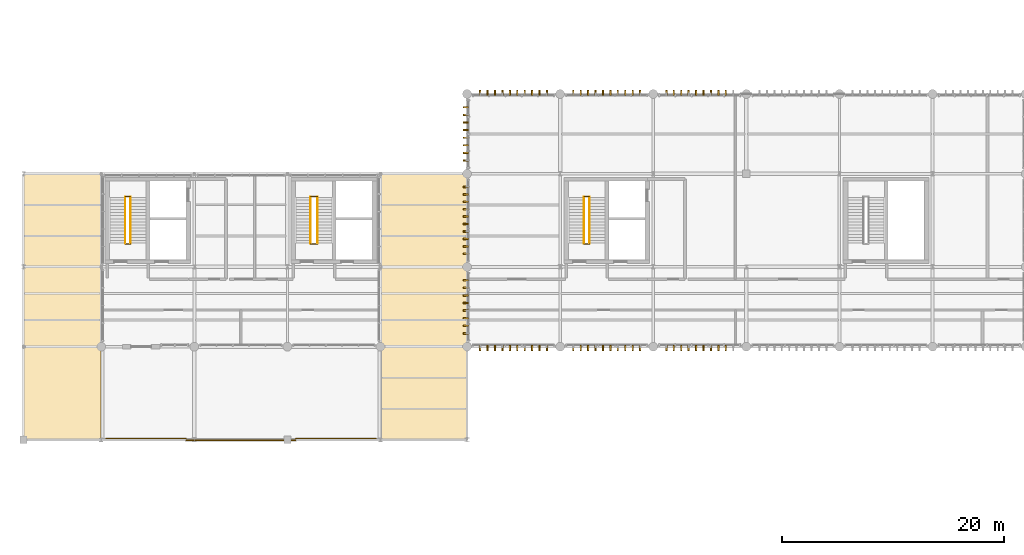
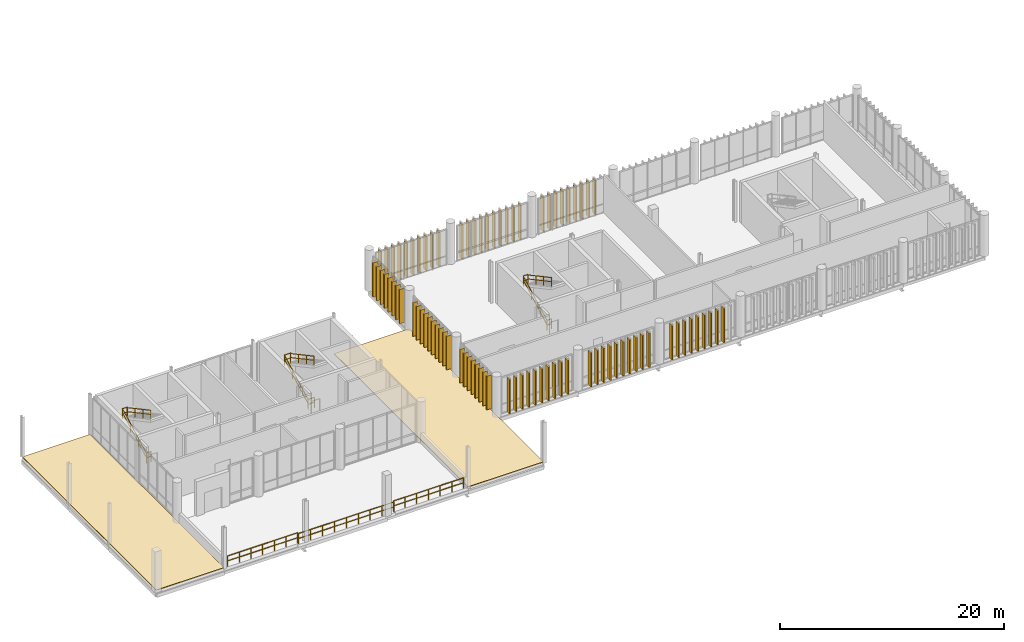
# One storey, part 63 of 68: 86 coverings, 15 railings, 2 elements without a shape of their own.
"""IFC4 building model written with IfcOpenShell, lengths in metres."""

from ifc_helpers import new_model, si_unit, direction, frame, frame_2d, origin_with_axes, origin_2d_with_axis, place, context, subcontext, project, spatial, polyline, rectangle, circle, outline, extrude, material, type_object, element, aggregate, save


model = new_model("IFC4")

# Units and contexts
model_context = context("Model", 3, precision=1e-05, world=origin_with_axes(), true_north=direction((0.0, 1.0)))
body_context = subcontext(model_context, "Body", "Model", "MODEL_VIEW")
ifc_project = project(units=[si_unit("LENGTHUNIT", "METRE"), si_unit("AREAUNIT", "SQUARE_METRE"), si_unit("VOLUMEUNIT", "CUBIC_METRE"), si_unit("PLANEANGLEUNIT", "RADIAN"), si_unit("MASSUNIT", "GRAM", prefix="KILO"), si_unit("THERMODYNAMICTEMPERATUREUNIT", "KELVIN")], contexts=[model_context])

# Site, building, storey
site_placement = place(None, origin_with_axes())
site = spatial("IfcSite", under=ifc_project, at=site_placement, CompositionType="ELEMENT")
building_placement = place(site_placement, origin_with_axes())
building = spatial("IfcBuilding", under=site, at=building_placement, Name="Montbau Bow Law Courts", CompositionType="ELEMENT")
storey_placement = place(building_placement, frame((0.0, 0.0, 20.4), z_axis=(0.0, 0.0, 1.0), x_axis=(1.0, 0.0, 0.0)))
storey = spatial("IfcBuildingStorey", under=building, at=storey_placement, Name="L04", CompositionType="ELEMENT", Elevation=20.4)

# Coverings
ifc_material_1 = material(Name="Freeze-Thaw Glazed Warm Cream Ceramic Vertical Louvre", Category="masonry")
covering_type_1 = type_object("IfcCoveringType", Name="CV-LVR-CRM", PredefinedType="CLADDING", material=ifc_material_1)
for number, where, z_axis, x_axis, name in (
    (1, (47.985, 39.13, 20.4), (-1.0, 0.0, 0.0), (0.0, -1.0, 0.0), "CLV-L04-1731:cov_1776"),
    (2, (48.655, 39.13, 20.4), (-1.0, 0.0, 0.0), (0.0, -1.0, 0.0), "CLV-L04-1732:cov_1777"),
    (3, (49.325, 39.13, 20.4), (-1.0, 0.0, 0.0), (0.0, -1.0, 0.0), "CLV-L04-1733:cov_1778"),
    (4, (49.995, 39.13, 20.4), (-1.0, 0.0, 0.0), (0.0, -1.0, 0.0), "CLV-L04-1734:cov_1779"),
    (5, (50.665, 39.13, 20.4), (-1.0, 0.0, 0.0), (0.0, -1.0, 0.0), "CLV-L04-1735:cov_1780"),
    (6, (51.335, 39.13, 20.4), (-1.0, 0.0, 0.0), (0.0, -1.0, 0.0), "CLV-L04-1736:cov_1781"),
    (7, (52.005, 39.13, 20.4), (-1.0, 0.0, 0.0), (0.0, -1.0, 0.0), "CLV-L04-1737:cov_1782"),
    (8, (52.675, 39.13, 20.4), (-1.0, 0.0, 0.0), (0.0, -1.0, 0.0), "CLV-L04-1738:cov_1783"),
    (9, (53.345, 39.13, 20.4), (-1.0, 0.0, 0.0), (0.0, -1.0, 0.0), "CLV-L04-1739:cov_1784"),
    (10, (54.015, 39.13, 20.4), (-1.0, 0.0, 0.0), (0.0, -1.0, 0.0), "CLV-L04-1740:cov_1785"),
    (11, (56.385, 39.13, 20.4), (-1.0, 0.0, 0.0), (0.0, -1.0, 0.0), "CLV-L04-1741:cov_1786"),
    (12, (57.055, 39.13, 20.4), (-1.0, 0.0, 0.0), (0.0, -1.0, 0.0), "CLV-L04-1742:cov_1787"),
    (13, (57.725, 39.13, 20.4), (-1.0, 0.0, 0.0), (0.0, -1.0, 0.0), "CLV-L04-1743:cov_1788"),
    (14, (58.395, 39.13, 20.4), (-1.0, 0.0, 0.0), (0.0, -1.0, 0.0), "CLV-L04-1744:cov_1789"),
    (15, (59.065, 39.13, 20.4), (-1.0, 0.0, 0.0), (0.0, -1.0, 0.0), "CLV-L04-1745:cov_1790"),
    (16, (59.735, 39.13, 20.4), (-1.0, 0.0, 0.0), (0.0, -1.0, 0.0), "CLV-L04-1746:cov_1791"),
    (17, (60.405, 39.13, 20.4), (-1.0, 0.0, 0.0), (0.0, -1.0, 0.0), "CLV-L04-1747:cov_1792"),
    (18, (61.075, 39.13, 20.4), (-1.0, 0.0, 0.0), (0.0, -1.0, 0.0), "CLV-L04-1748:cov_1793"),
    (19, (61.745, 39.13, 20.4), (-1.0, 0.0, 0.0), (0.0, -1.0, 0.0), "CLV-L04-1749:cov_1794"),
    (20, (62.415, 39.13, 20.4), (-1.0, 0.0, 0.0), (0.0, -1.0, 0.0), "CLV-L04-1750:cov_1795"),
    (21, (64.785, 39.13, 20.4), (-1.0, 0.0, 0.0), (0.0, -1.0, 0.0), "CLV-L04-1751:cov_1796"),
    (22, (65.455, 39.13, 20.4), (-1.0, 0.0, 0.0), (0.0, -1.0, 0.0), "CLV-L04-1752:cov_1797"),
    (23, (66.125, 39.13, 20.4), (-1.0, 0.0, 0.0), (0.0, -1.0, 0.0), "CLV-L04-1753:cov_1798"),
    (24, (66.795, 39.13, 20.4), (-1.0, 0.0, 0.0), (0.0, -1.0, 0.0), "CLV-L04-1754:cov_1799"),
    (25, (67.465, 39.13, 20.4), (-1.0, 0.0, 0.0), (0.0, -1.0, 0.0), "CLV-L04-1755:cov_1800"),
    (26, (68.135, 39.13, 20.4), (-1.0, 0.0, 0.0), (0.0, -1.0, 0.0), "CLV-L04-1756:cov_1801"),
    (27, (68.805, 39.13, 20.4), (-1.0, 0.0, 0.0), (0.0, -1.0, 0.0), "CLV-L04-1757:cov_1802"),
    (28, (69.475, 39.13, 20.4), (-1.0, 0.0, 0.0), (0.0, -1.0, 0.0), "CLV-L04-1758:cov_1803"),
    (29, (70.145, 39.13, 20.4), (-1.0, 0.0, 0.0), (0.0, -1.0, 0.0), "CLV-L04-1759:cov_1804"),
    (30, (47.985, 61.67, 20.4), (1.0, 0.0, 0.0), (0.0, 1.0, 0.0), "CLV-L04-1791:cov_1836"),
    (31, (48.655, 61.67, 20.4), (1.0, 0.0, 0.0), (0.0, 1.0, 0.0), "CLV-L04-1792:cov_1837"),
    (32, (49.325, 61.67, 20.4), (1.0, 0.0, 0.0), (0.0, 1.0, 0.0), "CLV-L04-1793:cov_1838"),
    (33, (49.995, 61.67, 20.4), (1.0, 0.0, 0.0), (0.0, 1.0, 0.0), "CLV-L04-1794:cov_1839"),
    (34, (50.665, 61.67, 20.4), (1.0, 0.0, 0.0), (0.0, 1.0, 0.0), "CLV-L04-1795:cov_1840"),
    (35, (51.335, 61.67, 20.4), (1.0, 0.0, 0.0), (0.0, 1.0, 0.0), "CLV-L04-1796:cov_1841"),
    (36, (52.005, 61.67, 20.4), (1.0, 0.0, 0.0), (0.0, 1.0, 0.0), "CLV-L04-1797:cov_1842"),
    (37, (52.675, 61.67, 20.4), (1.0, 0.0, 0.0), (0.0, 1.0, 0.0), "CLV-L04-1798:cov_1843"),
    (38, (53.345, 61.67, 20.4), (1.0, 0.0, 0.0), (0.0, 1.0, 0.0), "CLV-L04-1799:cov_1844"),
    (39, (54.015, 61.67, 20.4), (1.0, 0.0, 0.0), (0.0, 1.0, 0.0), "CLV-L04-1800:cov_1845"),
    (40, (56.385, 61.67, 20.4), (1.0, 0.0, 0.0), (0.0, 1.0, 0.0), "CLV-L04-1801:cov_1846"),
    (41, (57.055, 61.67, 20.4), (1.0, 0.0, 0.0), (0.0, 1.0, 0.0), "CLV-L04-1802:cov_1847"),
    (42, (57.725, 61.67, 20.4), (1.0, 0.0, 0.0), (0.0, 1.0, 0.0), "CLV-L04-1803:cov_1848"),
    (43, (58.395, 61.67, 20.4), (1.0, 0.0, 0.0), (0.0, 1.0, 0.0), "CLV-L04-1804:cov_1849"),
    (44, (59.065, 61.67, 20.4), (1.0, 0.0, 0.0), (0.0, 1.0, 0.0), "CLV-L04-1805:cov_1850"),
    (45, (59.735, 61.67, 20.4), (1.0, 0.0, 0.0), (0.0, 1.0, 0.0), "CLV-L04-1806:cov_1851"),
    (46, (60.405, 61.67, 20.4), (1.0, 0.0, 0.0), (0.0, 1.0, 0.0), "CLV-L04-1807:cov_1852"),
    (47, (61.075, 61.67, 20.4), (1.0, 0.0, 0.0), (0.0, 1.0, 0.0), "CLV-L04-1808:cov_1853"),
    (48, (61.745, 61.67, 20.4), (1.0, 0.0, 0.0), (0.0, 1.0, 0.0), "CLV-L04-1809:cov_1854"),
    (49, (62.415, 61.67, 20.4), (1.0, 0.0, 0.0), (0.0, 1.0, 0.0), "CLV-L04-1810:cov_1855"),
    (50, (64.785, 61.67, 20.4), (1.0, 0.0, 0.0), (0.0, 1.0, 0.0), "CLV-L04-1811:cov_1856"),
    (51, (65.455, 61.67, 20.4), (1.0, 0.0, 0.0), (0.0, 1.0, 0.0), "CLV-L04-1812:cov_1857"),
    (52, (66.125, 61.67, 20.4), (1.0, 0.0, 0.0), (0.0, 1.0, 0.0), "CLV-L04-1813:cov_1858"),
    (53, (66.795, 61.67, 20.4), (1.0, 0.0, 0.0), (0.0, 1.0, 0.0), "CLV-L04-1814:cov_1859"),
    (54, (67.465, 61.67, 20.4), (1.0, 0.0, 0.0), (0.0, 1.0, 0.0), "CLV-L04-1815:cov_1860"),
    (55, (68.135, 61.67, 20.4), (1.0, 0.0, 0.0), (0.0, 1.0, 0.0), "CLV-L04-1816:cov_1861"),
    (56, (68.805, 61.67, 20.4), (1.0, 0.0, 0.0), (0.0, 1.0, 0.0), "CLV-L04-1817:cov_1862"),
    (57, (69.475, 61.67, 20.4), (1.0, 0.0, 0.0), (0.0, 1.0, 0.0), "CLV-L04-1818:cov_1863"),
    (58, (70.145, 61.67, 20.4), (1.0, 0.0, 0.0), (0.0, 1.0, 0.0), "CLV-L04-1819:cov_1864"),
    (59, (46.93, 40.201, 20.4), (0.0, 1.0, 0.0), (-1.0, 0.0, 0.0), "CLV-L04-1851:cov_1896"),
    (60, (46.93, 40.886, 20.4), (0.0, 1.0, 0.0), (-1.0, 0.0, 0.0), "CLV-L04-1852:cov_1897"),
    (61, (46.93, 41.572, 20.4), (0.0, 1.0, 0.0), (-1.0, 0.0, 0.0), "CLV-L04-1853:cov_1898"),
    (62, (46.93, 42.257, 20.4), (0.0, 1.0, 0.0), (-1.0, 0.0, 0.0), "CLV-L04-1854:cov_1899"),
    (63, (46.93, 42.943, 20.4), (0.0, 1.0, 0.0), (-1.0, 0.0, 0.0), "CLV-L04-1855:cov_1900"),
    (64, (46.93, 43.628, 20.4), (0.0, 1.0, 0.0), (-1.0, 0.0, 0.0), "CLV-L04-1856:cov_1901"),
    (65, (46.93, 44.314, 20.4), (0.0, 1.0, 0.0), (-1.0, 0.0, 0.0), "CLV-L04-1857:cov_1902"),
    (66, (46.93, 44.999, 20.4), (0.0, 1.0, 0.0), (-1.0, 0.0, 0.0), "CLV-L04-1858:cov_1903"),
    (67, (46.93, 47.385, 20.4), (0.0, 1.0, 0.0), (-1.0, 0.0, 0.0), "CLV-L04-1859:cov_1904"),
    (68, (46.93, 48.055, 20.4), (0.0, 1.0, 0.0), (-1.0, 0.0, 0.0), "CLV-L04-1860:cov_1905"),
    (69, (46.93, 48.725, 20.4), (0.0, 1.0, 0.0), (-1.0, 0.0, 0.0), "CLV-L04-1861:cov_1906"),
    (70, (46.93, 49.395, 20.4), (0.0, 1.0, 0.0), (-1.0, 0.0, 0.0), "CLV-L04-1862:cov_1907"),
    (71, (46.93, 50.065, 20.4), (0.0, 1.0, 0.0), (-1.0, 0.0, 0.0), "CLV-L04-1863:cov_1908"),
    (72, (46.93, 50.735, 20.4), (0.0, 1.0, 0.0), (-1.0, 0.0, 0.0), "CLV-L04-1864:cov_1909"),
    (73, (46.93, 51.405, 20.4), (0.0, 1.0, 0.0), (-1.0, 0.0, 0.0), "CLV-L04-1865:cov_1910"),
    (74, (46.93, 52.075, 20.4), (0.0, 1.0, 0.0), (-1.0, 0.0, 0.0), "CLV-L04-1866:cov_1911"),
    (75, (46.93, 52.745, 20.4), (0.0, 1.0, 0.0), (-1.0, 0.0, 0.0), "CLV-L04-1867:cov_1912"),
    (76, (46.93, 53.415, 20.4), (0.0, 1.0, 0.0), (-1.0, 0.0, 0.0), "CLV-L04-1868:cov_1913"),
    (77, (46.93, 55.801, 20.4), (0.0, 1.0, 0.0), (-1.0, 0.0, 0.0), "CLV-L04-1869:cov_1914"),
    (78, (46.93, 56.486, 20.4), (0.0, 1.0, 0.0), (-1.0, 0.0, 0.0), "CLV-L04-1870:cov_1915"),
    (79, (46.93, 57.172, 20.4), (0.0, 1.0, 0.0), (-1.0, 0.0, 0.0), "CLV-L04-1871:cov_1916"),
    (80, (46.93, 57.857, 20.4), (0.0, 1.0, 0.0), (-1.0, 0.0, 0.0), "CLV-L04-1872:cov_1917"),
    (81, (46.93, 58.543, 20.4), (0.0, 1.0, 0.0), (-1.0, 0.0, 0.0), "CLV-L04-1873:cov_1918"),
    (82, (46.93, 59.228, 20.4), (0.0, 1.0, 0.0), (-1.0, 0.0, 0.0), "CLV-L04-1874:cov_1919"),
    (83, (46.93, 59.914, 20.4), (0.0, 1.0, 0.0), (-1.0, 0.0, 0.0), "CLV-L04-1875:cov_1920"),
    (84, (46.93, 60.599, 20.4), (0.0, 1.0, 0.0), (-1.0, 0.0, 0.0), "CLV-L04-1876:cov_1921"),
):
    element("IfcCovering", number, at=place(None, frame(where, z_axis=z_axis, x_axis=x_axis)), inside=storey, type_object=covering_type_1, Name=name, PredefinedType="CLADDING", context=body_context, shape_type="SweptSolid", body=[
        extrude(rectangle(XDim=0.48, YDim=3.74, at=frame_2d((0.24, 1.87), x_axis=(1.0, 0.0))), frame((0.0, 0.0, -0.06), z_axis=(0.0, 0.0, 1.0), x_axis=(1.0, 0.0, 0.0)), (0.0, 0.0, 1.0), 0.12),
    ])

# Roof, covering
ifc_material_2 = material(Name="Insulated Inverted Membrane Roof", Category="other")
roof_type = type_object("IfcRoofType", Name="RF-FL-01", PredefinedType="FLAT_ROOF", material=ifc_material_2)
roof_1_placement = place(None, frame((6.8, 30.6, 20.4), z_axis=(0.0, 0.0, 1.0), x_axis=(1.0, 0.0, 0.0)))
roof_1 = element("IfcRoof", 85, at=roof_1_placement, inside=storey, type_object=roof_type, Name="ROOF-LID-L04-16:rof_0021", PredefinedType="FLAT_ROOF")
ifc_material_3 = material(Name="Standing-Seam Pre-Weathered Zinc Roofing Membrane", Category="steel")
covering_type_2 = type_object("IfcCoveringType", Name="CV-ROF-01", PredefinedType="ROOFING", material=ifc_material_3)
covering_1_placement = place(None, frame((0.0, 0.0, 20.4), z_axis=(0.0, 0.0, 1.0), x_axis=(1.0, 0.0, 0.0)))
covering_1 = element("IfcCovering", 86, at=covering_1_placement, type_object=covering_type_2, Name="CVR-LID-L04-16:cov_0021", PredefinedType="ROOFING", context=body_context, shape_type="SweptSolid", body=[
    extrude(outline(polyline([(13.796, 54.6), (13.796, 30.6), (6.8, 30.6), (6.8, 54.6), (13.796, 54.6)])), origin_with_axes(), (0.0, 0.0, 1.0), 0.06),
])
aggregate(roof_1, [covering_1])

roof_2_placement = place(None, frame((39.004, 30.6, 20.4), z_axis=(0.0, 0.0, 1.0), x_axis=(1.0, 0.0, 0.0)))
roof_2 = element("IfcRoof", 87, at=roof_2_placement, inside=storey, type_object=roof_type, Name="ROOF-LID-L04-17:rof_0022", PredefinedType="FLAT_ROOF")
covering_2_placement = place(None, frame((0.0, 0.0, 20.4), z_axis=(0.0, 0.0, 1.0), x_axis=(1.0, 0.0, 0.0)))
covering_2 = element("IfcCovering", 88, at=covering_2_placement, type_object=covering_type_2, Name="CVR-LID-L04-17:cov_0022", PredefinedType="ROOFING", context=body_context, shape_type="SweptSolid", body=[
    extrude(outline(polyline([(46.796, 54.6), (46.796, 38.996), (46.8, 38.996), (46.8, 30.6), (39.004, 30.6), (39.004, 54.6), (46.796, 54.6)])), origin_with_axes(), (0.0, 0.0, 1.0), 0.06),
])
aggregate(roof_2, [covering_2])

# Railings
ifc_material_4 = material(Name="Architectural Bronze-Finished Steel Stair Guard", Category="steel")
railing_type_1 = type_object("IfcRailingType", Name="RL-GRD-1100", PredefinedType="GUARDRAIL", material=ifc_material_4)
railing_1_placement = place(None, origin_with_axes())
element("IfcRailing", 89, at=railing_1_placement, inside=storey, type_object=railing_type_1, Name="SG-ST-P1-L04-ML:rlg_0052", PredefinedType="GUARDRAIL", context=body_context, shape_type="SweptSolid", body=[
    extrude(circle(Radius=0.0225, at=origin_2d_with_axis()), frame((15.97, 52.53, 23.752), z_axis=(1.0, 0.0, 0.0), x_axis=(0.0, 0.0, 1.0)), (0.0, 0.0, 1.0), 0.47),
    extrude(circle(Radius=0.02025, at=origin_2d_with_axis()), frame((15.97, 52.53, 23.222), z_axis=(1.0, 0.0, 0.0), x_axis=(0.0, 0.0, 1.0)), (0.0, 0.0, 1.0), 0.47),
    extrude(circle(Radius=0.02025, at=origin_2d_with_axis()), frame((15.97, 52.53, 22.65), z_axis=(0.0, 0.0, 1.0), x_axis=(1.0, 0.0, 0.0)), (0.0, 0.0, 1.0), 1.07525),
    extrude(circle(Radius=0.02025, at=origin_2d_with_axis()), frame((16.44, 52.53, 22.65), z_axis=(0.0, 0.0, 1.0), x_axis=(1.0, 0.0, 0.0)), (0.0, 0.0, 1.0), 1.07525),
])
railing_2_placement = place(None, origin_with_axes())
element("IfcRailing", 90, at=railing_2_placement, inside=storey, type_object=railing_type_1, Name="SG-ST-P1-L04-BL:rlg_0053", PredefinedType="GUARDRAIL", context=body_context, shape_type="SweptSolid", body=[
    extrude(circle(Radius=0.0225, at=origin_2d_with_axis()), frame((15.97, 48.27, 21.502), z_axis=(1.0, 0.0, 0.0), x_axis=(0.0, 0.0, 1.0)), (0.0, 0.0, 1.0), 0.47),
    extrude(circle(Radius=0.02025, at=origin_2d_with_axis()), frame((15.97, 48.27, 20.972), z_axis=(1.0, 0.0, 0.0), x_axis=(0.0, 0.0, 1.0)), (0.0, 0.0, 1.0), 0.47),
    extrude(circle(Radius=0.02025, at=origin_2d_with_axis()), frame((15.97, 48.27, 20.4), z_axis=(0.0, 0.0, 1.0), x_axis=(1.0, 0.0, 0.0)), (0.0, 0.0, 1.0), 1.07525),
    extrude(circle(Radius=0.02025, at=origin_2d_with_axis()), frame((16.44, 48.27, 20.4), z_axis=(0.0, 0.0, 1.0), x_axis=(1.0, 0.0, 0.0)), (0.0, 0.0, 1.0), 1.07525),
])
railing_3_placement = place(None, origin_with_axes())
element("IfcRailing", 91, at=railing_3_placement, inside=storey, type_object=railing_type_1, Name="SG-ST-J1-L04-ML:rlg_0084", PredefinedType="GUARDRAIL", context=body_context, shape_type="SweptSolid", body=[
    extrude(circle(Radius=0.0225, at=origin_2d_with_axis()), frame((32.69, 52.53, 23.752), z_axis=(1.0, 0.0, 0.0), x_axis=(0.0, 0.0, 1.0)), (0.0, 0.0, 1.0), 0.63),
    extrude(circle(Radius=0.02025, at=origin_2d_with_axis()), frame((32.69, 52.53, 23.222), z_axis=(1.0, 0.0, 0.0), x_axis=(0.0, 0.0, 1.0)), (0.0, 0.0, 1.0), 0.63),
    extrude(circle(Radius=0.02025, at=origin_2d_with_axis()), frame((32.69, 52.53, 22.65), z_axis=(0.0, 0.0, 1.0), x_axis=(1.0, 0.0, 0.0)), (0.0, 0.0, 1.0), 1.07525),
    extrude(circle(Radius=0.02025, at=origin_2d_with_axis()), frame((33.32, 52.53, 22.65), z_axis=(0.0, 0.0, 1.0), x_axis=(1.0, 0.0, 0.0)), (0.0, 0.0, 1.0), 1.07525),
])
railing_4_placement = place(None, origin_with_axes())
element("IfcRailing", 92, at=railing_4_placement, inside=storey, type_object=railing_type_1, Name="SG-ST-J1-L04-BL:rlg_0085", PredefinedType="GUARDRAIL", context=body_context, shape_type="SweptSolid", body=[
    extrude(circle(Radius=0.0225, at=origin_2d_with_axis()), frame((32.69, 48.27, 21.502), z_axis=(1.0, 0.0, 0.0), x_axis=(0.0, 0.0, 1.0)), (0.0, 0.0, 1.0), 0.63),
    extrude(circle(Radius=0.02025, at=origin_2d_with_axis()), frame((32.69, 48.27, 20.972), z_axis=(1.0, 0.0, 0.0), x_axis=(0.0, 0.0, 1.0)), (0.0, 0.0, 1.0), 0.63),
    extrude(circle(Radius=0.02025, at=origin_2d_with_axis()), frame((32.69, 48.27, 20.4), z_axis=(0.0, 0.0, 1.0), x_axis=(1.0, 0.0, 0.0)), (0.0, 0.0, 1.0), 1.07525),
    extrude(circle(Radius=0.02025, at=origin_2d_with_axis()), frame((33.32, 48.27, 20.4), z_axis=(0.0, 0.0, 1.0), x_axis=(1.0, 0.0, 0.0)), (0.0, 0.0, 1.0), 1.07525),
])
railing_5_placement = place(None, origin_with_axes())
element("IfcRailing", 93, at=railing_5_placement, inside=storey, type_object=railing_type_1, Name="SG-ST-P4-L04-ML:rlg_0116", PredefinedType="GUARDRAIL", context=body_context, shape_type="SweptSolid", body=[
    extrude(circle(Radius=0.0225, at=origin_2d_with_axis()), frame((57.37, 52.53, 23.752), z_axis=(1.0, 0.0, 0.0), x_axis=(0.0, 0.0, 1.0)), (0.0, 0.0, 1.0), 0.47),
    extrude(circle(Radius=0.02025, at=origin_2d_with_axis()), frame((57.37, 52.53, 23.222), z_axis=(1.0, 0.0, 0.0), x_axis=(0.0, 0.0, 1.0)), (0.0, 0.0, 1.0), 0.47),
    extrude(circle(Radius=0.02025, at=origin_2d_with_axis()), frame((57.37, 52.53, 22.65), z_axis=(0.0, 0.0, 1.0), x_axis=(1.0, 0.0, 0.0)), (0.0, 0.0, 1.0), 1.07525),
    extrude(circle(Radius=0.02025, at=origin_2d_with_axis()), frame((57.84, 52.53, 22.65), z_axis=(0.0, 0.0, 1.0), x_axis=(1.0, 0.0, 0.0)), (0.0, 0.0, 1.0), 1.07525),
])
railing_6_placement = place(None, origin_with_axes())
element("IfcRailing", 94, at=railing_6_placement, inside=storey, type_object=railing_type_1, Name="SG-ST-P4-L04-BL:rlg_0117", PredefinedType="GUARDRAIL", context=body_context, shape_type="SweptSolid", body=[
    extrude(circle(Radius=0.0225, at=origin_2d_with_axis()), frame((57.37, 48.27, 21.502), z_axis=(1.0, 0.0, 0.0), x_axis=(0.0, 0.0, 1.0)), (0.0, 0.0, 1.0), 0.47),
    extrude(circle(Radius=0.02025, at=origin_2d_with_axis()), frame((57.37, 48.27, 20.972), z_axis=(1.0, 0.0, 0.0), x_axis=(0.0, 0.0, 1.0)), (0.0, 0.0, 1.0), 0.47),
    extrude(circle(Radius=0.02025, at=origin_2d_with_axis()), frame((57.37, 48.27, 20.4), z_axis=(0.0, 0.0, 1.0), x_axis=(1.0, 0.0, 0.0)), (0.0, 0.0, 1.0), 1.07525),
    extrude(circle(Radius=0.02025, at=origin_2d_with_axis()), frame((57.84, 48.27, 20.4), z_axis=(0.0, 0.0, 1.0), x_axis=(1.0, 0.0, 0.0)), (0.0, 0.0, 1.0), 1.07525),
])
ifc_material_5 = material(Name="Brushed Stainless Steel AISI 316L Guardrail", Category="steel")
railing_type_2 = type_object("IfcRailingType", Name="RL-GRD-1120", PredefinedType="GUARDRAIL", material=ifc_material_5)
railing_7_placement = place(None, origin_with_axes())
element("IfcRailing", 95, at=railing_7_placement, inside=storey, type_object=railing_type_2, Name="GRD-TER-L04-V2-4:rlg_0011", PredefinedType="GUARDRAIL", context=body_context, shape_type="SweptSolid", body=[
    extrude(circle(Radius=0.025, at=origin_2d_with_axis()), frame((38.584, 30.7, 21.522), z_axis=(-1.0, 0.0, 0.0), x_axis=(0.0, 0.0, 1.0)), (0.0, 0.0, 1.0), 7.244),
    extrude(circle(Radius=0.022500000000000003, at=origin_2d_with_axis()), frame((38.584, 30.7, 20.9824), z_axis=(-1.0, 0.0, 0.0), x_axis=(0.0, 0.0, 1.0)), (0.0, 0.0, 1.0), 7.244),
    extrude(circle(Radius=0.022500000000000003, at=origin_2d_with_axis()), frame((38.584, 30.7, 20.4), z_axis=(0.0, 0.0, 1.0), x_axis=(1.0, 0.0, 0.0)), (0.0, 0.0, 1.0), 1.0925),
    extrude(circle(Radius=0.022500000000000003, at=origin_2d_with_axis()), frame((37.376667, 30.7, 20.4), z_axis=(0.0, 0.0, 1.0), x_axis=(1.0, 0.0, 0.0)), (0.0, 0.0, 1.0), 1.0925),
    extrude(circle(Radius=0.022500000000000003, at=origin_2d_with_axis()), frame((36.169333, 30.7, 20.4), z_axis=(0.0, 0.0, 1.0), x_axis=(1.0, 0.0, 0.0)), (0.0, 0.0, 1.0), 1.0925),
    extrude(circle(Radius=0.022500000000000003, at=origin_2d_with_axis()), frame((34.962, 30.7, 20.4), z_axis=(0.0, 0.0, 1.0), x_axis=(1.0, 0.0, 0.0)), (0.0, 0.0, 1.0), 1.0925),
    extrude(circle(Radius=0.022500000000000003, at=origin_2d_with_axis()), frame((33.754667, 30.7, 20.4), z_axis=(0.0, 0.0, 1.0), x_axis=(1.0, 0.0, 0.0)), (0.0, 0.0, 1.0), 1.0925),
    extrude(circle(Radius=0.022500000000000003, at=origin_2d_with_axis()), frame((32.547333, 30.7, 20.4), z_axis=(0.0, 0.0, 1.0), x_axis=(1.0, 0.0, 0.0)), (0.0, 0.0, 1.0), 1.0925),
    extrude(circle(Radius=0.022500000000000003, at=origin_2d_with_axis()), frame((31.34, 30.7, 20.4), z_axis=(0.0, 0.0, 1.0), x_axis=(1.0, 0.0, 0.0)), (0.0, 0.0, 1.0), 1.0925),
])
railing_8_placement = place(None, origin_with_axes())
element("IfcRailing", 96, at=railing_8_placement, inside=storey, type_object=railing_type_2, Name="GRD-TER-L04-V2-6:rlg_0012", PredefinedType="GUARDRAIL", context=body_context, shape_type="SweptSolid", body=[
    extrude(circle(Radius=0.025, at=origin_2d_with_axis()), frame((31.34, 30.56, 21.522), z_axis=(-1.0, 0.0, 0.0), x_axis=(0.0, 0.0, 1.0)), (0.0, 0.0, 1.0), 9.88),
    extrude(circle(Radius=0.022500000000000003, at=origin_2d_with_axis()), frame((31.34, 30.56, 20.9824), z_axis=(-1.0, 0.0, 0.0), x_axis=(0.0, 0.0, 1.0)), (0.0, 0.0, 1.0), 9.88),
    extrude(circle(Radius=0.022500000000000003, at=origin_2d_with_axis()), frame((31.34, 30.56, 20.4), z_axis=(0.0, 0.0, 1.0), x_axis=(1.0, 0.0, 0.0)), (0.0, 0.0, 1.0), 1.0925),
    extrude(circle(Radius=0.022500000000000003, at=origin_2d_with_axis()), frame((30.105, 30.56, 20.4), z_axis=(0.0, 0.0, 1.0), x_axis=(1.0, 0.0, 0.0)), (0.0, 0.0, 1.0), 1.0925),
    extrude(circle(Radius=0.022500000000000003, at=origin_2d_with_axis()), frame((28.87, 30.56, 20.4), z_axis=(0.0, 0.0, 1.0), x_axis=(1.0, 0.0, 0.0)), (0.0, 0.0, 1.0), 1.0925),
    extrude(circle(Radius=0.022500000000000003, at=origin_2d_with_axis()), frame((27.635, 30.56, 20.4), z_axis=(0.0, 0.0, 1.0), x_axis=(1.0, 0.0, 0.0)), (0.0, 0.0, 1.0), 1.0925),
    extrude(circle(Radius=0.022500000000000003, at=origin_2d_with_axis()), frame((26.4, 30.56, 20.4), z_axis=(0.0, 0.0, 1.0), x_axis=(1.0, 0.0, 0.0)), (0.0, 0.0, 1.0), 1.0925),
    extrude(circle(Radius=0.022500000000000003, at=origin_2d_with_axis()), frame((25.165, 30.56, 20.4), z_axis=(0.0, 0.0, 1.0), x_axis=(1.0, 0.0, 0.0)), (0.0, 0.0, 1.0), 1.0925),
    extrude(circle(Radius=0.022500000000000003, at=origin_2d_with_axis()), frame((23.93, 30.56, 20.4), z_axis=(0.0, 0.0, 1.0), x_axis=(1.0, 0.0, 0.0)), (0.0, 0.0, 1.0), 1.0925),
    extrude(circle(Radius=0.022500000000000003, at=origin_2d_with_axis()), frame((22.695, 30.56, 20.4), z_axis=(0.0, 0.0, 1.0), x_axis=(1.0, 0.0, 0.0)), (0.0, 0.0, 1.0), 1.0925),
    extrude(circle(Radius=0.022500000000000003, at=origin_2d_with_axis()), frame((21.46, 30.56, 20.4), z_axis=(0.0, 0.0, 1.0), x_axis=(1.0, 0.0, 0.0)), (0.0, 0.0, 1.0), 1.0925),
])
railing_9_placement = place(None, origin_with_axes())
element("IfcRailing", 97, at=railing_9_placement, inside=storey, type_object=railing_type_2, Name="GRD-TER-L04-V2-8:rlg_0013", PredefinedType="GUARDRAIL", context=body_context, shape_type="SweptSolid", body=[
    extrude(circle(Radius=0.025, at=origin_2d_with_axis()), frame((21.46, 30.7, 21.522), z_axis=(-1.0, 0.0, 0.0), x_axis=(0.0, 0.0, 1.0)), (0.0, 0.0, 1.0), 7.244),
    extrude(circle(Radius=0.022500000000000003, at=origin_2d_with_axis()), frame((21.46, 30.7, 20.9824), z_axis=(-1.0, 0.0, 0.0), x_axis=(0.0, 0.0, 1.0)), (0.0, 0.0, 1.0), 7.244),
    extrude(circle(Radius=0.022500000000000003, at=origin_2d_with_axis()), frame((21.46, 30.7, 20.4), z_axis=(0.0, 0.0, 1.0), x_axis=(1.0, 0.0, 0.0)), (0.0, 0.0, 1.0), 1.0925),
    extrude(circle(Radius=0.022500000000000003, at=origin_2d_with_axis()), frame((20.252667, 30.7, 20.4), z_axis=(0.0, 0.0, 1.0), x_axis=(1.0, 0.0, 0.0)), (0.0, 0.0, 1.0), 1.0925),
    extrude(circle(Radius=0.022500000000000003, at=origin_2d_with_axis()), frame((19.045333, 30.7, 20.4), z_axis=(0.0, 0.0, 1.0), x_axis=(1.0, 0.0, 0.0)), (0.0, 0.0, 1.0), 1.0925),
    extrude(circle(Radius=0.022500000000000003, at=origin_2d_with_axis()), frame((17.838, 30.7, 20.4), z_axis=(0.0, 0.0, 1.0), x_axis=(1.0, 0.0, 0.0)), (0.0, 0.0, 1.0), 1.0925),
    extrude(circle(Radius=0.022500000000000003, at=origin_2d_with_axis()), frame((16.630667, 30.7, 20.4), z_axis=(0.0, 0.0, 1.0), x_axis=(1.0, 0.0, 0.0)), (0.0, 0.0, 1.0), 1.0925),
    extrude(circle(Radius=0.022500000000000003, at=origin_2d_with_axis()), frame((15.423333, 30.7, 20.4), z_axis=(0.0, 0.0, 1.0), x_axis=(1.0, 0.0, 0.0)), (0.0, 0.0, 1.0), 1.0925),
    extrude(circle(Radius=0.022500000000000003, at=origin_2d_with_axis()), frame((14.216, 30.7, 20.4), z_axis=(0.0, 0.0, 1.0), x_axis=(1.0, 0.0, 0.0)), (0.0, 0.0, 1.0), 1.0925),
])
ifc_material_6 = material(Name="White-Oak and Stainless Continuous Stair Handrail", Category="steel")
railing_type_3 = type_object("IfcRailingType", Name="RL-HND-0920", PredefinedType="HANDRAIL", material=ifc_material_6)
railing_10_placement = place(None, origin_with_axes())
element("IfcRailing", 98, at=railing_10_placement, inside=storey, type_object=railing_type_3, Name="HR-ST-P1-L04-1:rlg_0054", PredefinedType="HANDRAIL", context=body_context, shape_type="SweptSolid", body=[
    extrude(circle(Radius=0.021, at=origin_2d_with_axis()), frame((15.97, 48.3, 21.472), z_axis=(0.0, 0.88147997, 0.472221413), x_axis=(0.0, -0.472221413, 0.88147997)), (0.0, 0.0, 1.0), 4.764714),
    extrude(circle(Radius=0.0189, at=origin_2d_with_axis()), frame((15.97, 48.3, 21.0284), z_axis=(0.0, 0.88147997, 0.472221413), x_axis=(0.0, -0.472221413, 0.88147997)), (0.0, 0.0, 1.0), 4.764714),
    extrude(circle(Radius=0.0189, at=origin_2d_with_axis()), frame((15.97, 48.3, 20.55), z_axis=(0.0, 0.0, 1.0), x_axis=(1.0, 0.0, 0.0)), (0.0, 0.0, 1.0), 0.8969),
    extrude(circle(Radius=0.0189, at=origin_2d_with_axis()), frame((15.97, 49.7, 21.3), z_axis=(0.0, 0.0, 1.0), x_axis=(1.0, 0.0, 0.0)), (0.0, 0.0, 1.0), 0.8969),
    extrude(circle(Radius=0.0189, at=origin_2d_with_axis()), frame((15.97, 51.1, 22.05), z_axis=(0.0, 0.0, 1.0), x_axis=(1.0, 0.0, 0.0)), (0.0, 0.0, 1.0), 0.8969),
    extrude(circle(Radius=0.0189, at=origin_2d_with_axis()), frame((15.97, 52.5, 22.8), z_axis=(0.0, 0.0, 1.0), x_axis=(1.0, 0.0, 0.0)), (0.0, 0.0, 1.0), 0.8969),
])
railing_11_placement = place(None, origin_with_axes())
element("IfcRailing", 99, at=railing_11_placement, inside=storey, type_object=railing_type_3, Name="HR-ST-P1-L04-2:rlg_0055", PredefinedType="HANDRAIL", context=body_context, shape_type="SweptSolid", body=[
    extrude(circle(Radius=0.021, at=origin_2d_with_axis()), frame((16.44, 52.5, 23.722), z_axis=(0.0, -0.88147997, 0.472221413), x_axis=(0.0, 0.472221413, 0.88147997)), (0.0, 0.0, 1.0), 4.764714),
    extrude(circle(Radius=0.0189, at=origin_2d_with_axis()), frame((16.44, 52.5, 23.2784), z_axis=(0.0, -0.88147997, 0.472221413), x_axis=(0.0, 0.472221413, 0.88147997)), (0.0, 0.0, 1.0), 4.764714),
    extrude(circle(Radius=0.0189, at=origin_2d_with_axis()), frame((16.44, 52.5, 22.8), z_axis=(0.0, 0.0, 1.0), x_axis=(1.0, 0.0, 0.0)), (0.0, 0.0, 1.0), 0.8969),
    extrude(circle(Radius=0.0189, at=origin_2d_with_axis()), frame((16.44, 51.1, 23.55), z_axis=(0.0, 0.0, 1.0), x_axis=(1.0, 0.0, 0.0)), (0.0, 0.0, 1.0), 0.8969),
    extrude(circle(Radius=0.0189, at=origin_2d_with_axis()), frame((16.44, 49.7, 24.3), z_axis=(0.0, 0.0, 1.0), x_axis=(1.0, 0.0, 0.0)), (0.0, 0.0, 1.0), 0.8969),
    extrude(circle(Radius=0.0189, at=origin_2d_with_axis()), frame((16.44, 48.3, 25.05), z_axis=(0.0, 0.0, 1.0), x_axis=(1.0, 0.0, 0.0)), (0.0, 0.0, 1.0), 0.8969),
])
railing_12_placement = place(None, origin_with_axes())
element("IfcRailing", 100, at=railing_12_placement, inside=storey, type_object=railing_type_3, Name="HR-ST-J1-L04-1:rlg_0086", PredefinedType="HANDRAIL", context=body_context, shape_type="SweptSolid", body=[
    extrude(circle(Radius=0.021, at=origin_2d_with_axis()), frame((32.69, 48.3, 21.472), z_axis=(0.0, 0.88147997, 0.472221413), x_axis=(0.0, -0.472221413, 0.88147997)), (0.0, 0.0, 1.0), 4.764714),
    extrude(circle(Radius=0.0189, at=origin_2d_with_axis()), frame((32.69, 48.3, 21.0284), z_axis=(0.0, 0.88147997, 0.472221413), x_axis=(0.0, -0.472221413, 0.88147997)), (0.0, 0.0, 1.0), 4.764714),
    extrude(circle(Radius=0.0189, at=origin_2d_with_axis()), frame((32.69, 48.3, 20.55), z_axis=(0.0, 0.0, 1.0), x_axis=(1.0, 0.0, 0.0)), (0.0, 0.0, 1.0), 0.8969),
    extrude(circle(Radius=0.0189, at=origin_2d_with_axis()), frame((32.69, 49.7, 21.3), z_axis=(0.0, 0.0, 1.0), x_axis=(1.0, 0.0, 0.0)), (0.0, 0.0, 1.0), 0.8969),
    extrude(circle(Radius=0.0189, at=origin_2d_with_axis()), frame((32.69, 51.1, 22.05), z_axis=(0.0, 0.0, 1.0), x_axis=(1.0, 0.0, 0.0)), (0.0, 0.0, 1.0), 0.8969),
    extrude(circle(Radius=0.0189, at=origin_2d_with_axis()), frame((32.69, 52.5, 22.8), z_axis=(0.0, 0.0, 1.0), x_axis=(1.0, 0.0, 0.0)), (0.0, 0.0, 1.0), 0.8969),
])
railing_13_placement = place(None, origin_with_axes())
element("IfcRailing", 101, at=railing_13_placement, inside=storey, type_object=railing_type_3, Name="HR-ST-J1-L04-2:rlg_0087", PredefinedType="HANDRAIL", context=body_context, shape_type="SweptSolid", body=[
    extrude(circle(Radius=0.021, at=origin_2d_with_axis()), frame((33.32, 52.5, 23.722), z_axis=(0.0, -0.88147997, 0.472221413), x_axis=(0.0, 0.472221413, 0.88147997)), (0.0, 0.0, 1.0), 4.764714),
    extrude(circle(Radius=0.0189, at=origin_2d_with_axis()), frame((33.32, 52.5, 23.2784), z_axis=(0.0, -0.88147997, 0.472221413), x_axis=(0.0, 0.472221413, 0.88147997)), (0.0, 0.0, 1.0), 4.764714),
    extrude(circle(Radius=0.0189, at=origin_2d_with_axis()), frame((33.32, 52.5, 22.8), z_axis=(0.0, 0.0, 1.0), x_axis=(1.0, 0.0, 0.0)), (0.0, 0.0, 1.0), 0.8969),
    extrude(circle(Radius=0.0189, at=origin_2d_with_axis()), frame((33.32, 51.1, 23.55), z_axis=(0.0, 0.0, 1.0), x_axis=(1.0, 0.0, 0.0)), (0.0, 0.0, 1.0), 0.8969),
    extrude(circle(Radius=0.0189, at=origin_2d_with_axis()), frame((33.32, 49.7, 24.3), z_axis=(0.0, 0.0, 1.0), x_axis=(1.0, 0.0, 0.0)), (0.0, 0.0, 1.0), 0.8969),
    extrude(circle(Radius=0.0189, at=origin_2d_with_axis()), frame((33.32, 48.3, 25.05), z_axis=(0.0, 0.0, 1.0), x_axis=(1.0, 0.0, 0.0)), (0.0, 0.0, 1.0), 0.8969),
])
railing_14_placement = place(None, origin_with_axes())
element("IfcRailing", 102, at=railing_14_placement, inside=storey, type_object=railing_type_3, Name="HR-ST-P4-L04-1:rlg_0118", PredefinedType="HANDRAIL", context=body_context, shape_type="SweptSolid", body=[
    extrude(circle(Radius=0.021, at=origin_2d_with_axis()), frame((57.37, 48.3, 21.472), z_axis=(0.0, 0.88147997, 0.472221413), x_axis=(0.0, -0.472221413, 0.88147997)), (0.0, 0.0, 1.0), 4.764714),
    extrude(circle(Radius=0.0189, at=origin_2d_with_axis()), frame((57.37, 48.3, 21.0284), z_axis=(0.0, 0.88147997, 0.472221413), x_axis=(0.0, -0.472221413, 0.88147997)), (0.0, 0.0, 1.0), 4.764714),
    extrude(circle(Radius=0.0189, at=origin_2d_with_axis()), frame((57.37, 48.3, 20.55), z_axis=(0.0, 0.0, 1.0), x_axis=(1.0, 0.0, 0.0)), (0.0, 0.0, 1.0), 0.8969),
    extrude(circle(Radius=0.0189, at=origin_2d_with_axis()), frame((57.37, 49.7, 21.3), z_axis=(0.0, 0.0, 1.0), x_axis=(1.0, 0.0, 0.0)), (0.0, 0.0, 1.0), 0.8969),
    extrude(circle(Radius=0.0189, at=origin_2d_with_axis()), frame((57.37, 51.1, 22.05), z_axis=(0.0, 0.0, 1.0), x_axis=(1.0, 0.0, 0.0)), (0.0, 0.0, 1.0), 0.8969),
    extrude(circle(Radius=0.0189, at=origin_2d_with_axis()), frame((57.37, 52.5, 22.8), z_axis=(0.0, 0.0, 1.0), x_axis=(1.0, 0.0, 0.0)), (0.0, 0.0, 1.0), 0.8969),
])
railing_15_placement = place(None, origin_with_axes())
element("IfcRailing", 103, at=railing_15_placement, inside=storey, type_object=railing_type_3, Name="HR-ST-P4-L04-2:rlg_0119", PredefinedType="HANDRAIL", context=body_context, shape_type="SweptSolid", body=[
    extrude(circle(Radius=0.021, at=origin_2d_with_axis()), frame((57.84, 52.5, 23.722), z_axis=(0.0, -0.88147997, 0.472221413), x_axis=(0.0, 0.472221413, 0.88147997)), (0.0, 0.0, 1.0), 4.764714),
    extrude(circle(Radius=0.0189, at=origin_2d_with_axis()), frame((57.84, 52.5, 23.2784), z_axis=(0.0, -0.88147997, 0.472221413), x_axis=(0.0, 0.472221413, 0.88147997)), (0.0, 0.0, 1.0), 4.764714),
    extrude(circle(Radius=0.0189, at=origin_2d_with_axis()), frame((57.84, 52.5, 22.8), z_axis=(0.0, 0.0, 1.0), x_axis=(1.0, 0.0, 0.0)), (0.0, 0.0, 1.0), 0.8969),
    extrude(circle(Radius=0.0189, at=origin_2d_with_axis()), frame((57.84, 51.1, 23.55), z_axis=(0.0, 0.0, 1.0), x_axis=(1.0, 0.0, 0.0)), (0.0, 0.0, 1.0), 0.8969),
    extrude(circle(Radius=0.0189, at=origin_2d_with_axis()), frame((57.84, 49.7, 24.3), z_axis=(0.0, 0.0, 1.0), x_axis=(1.0, 0.0, 0.0)), (0.0, 0.0, 1.0), 0.8969),
    extrude(circle(Radius=0.0189, at=origin_2d_with_axis()), frame((57.84, 48.3, 25.05), z_axis=(0.0, 0.0, 1.0), x_axis=(1.0, 0.0, 0.0)), (0.0, 0.0, 1.0), 0.8969),
])

save(model, "model.ifc")
